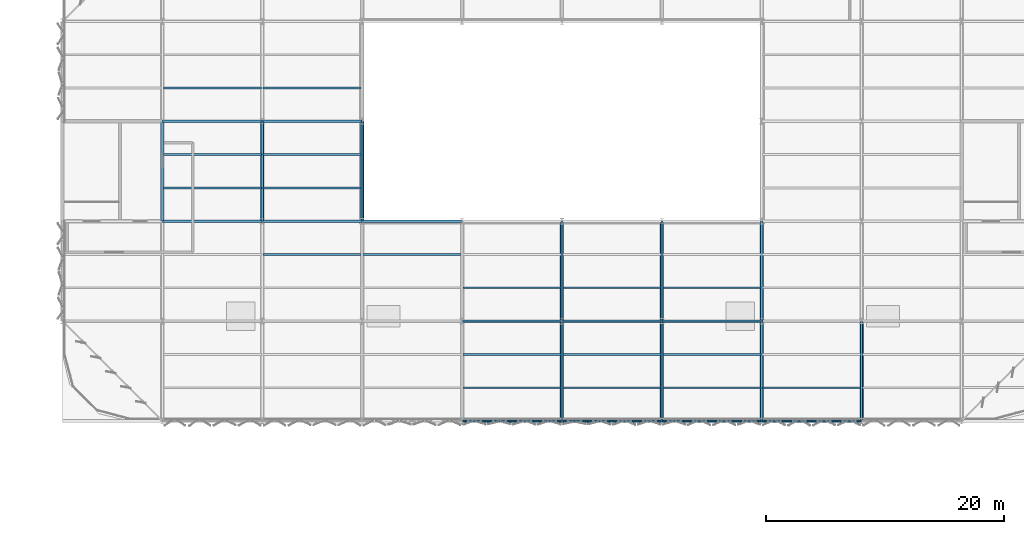
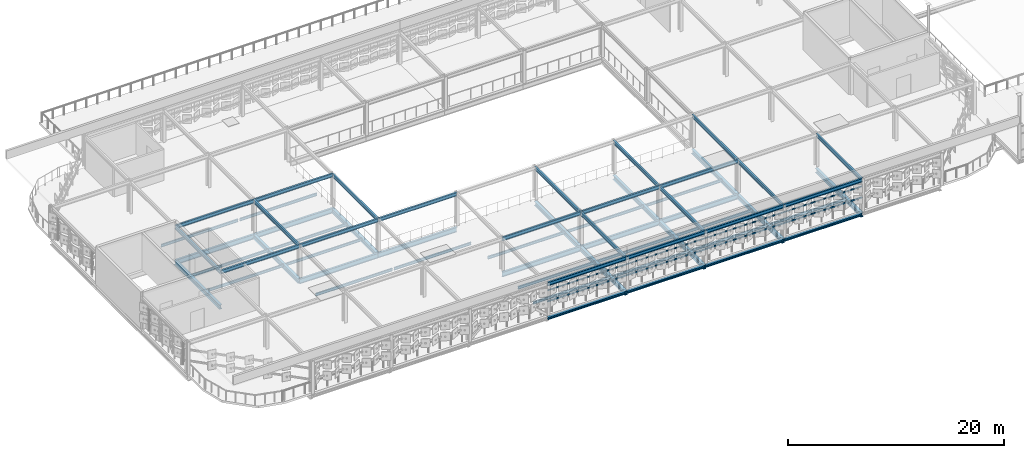
# One storey, part 31 of 65: 69 beams.
"""IFC4 building model written with IfcOpenShell, lengths in metres."""

from ifc_helpers import new_model, si_unit, direction, frame, origin, origin_2d, place, context, subcontext, project, spatial, hollow_rectangle, i_section, extrude, material, material_profile, profile_set, type_object, element, save


model = new_model("IFC4")

# Units and contexts
model_context = context("Model", 3, precision=1e-05, world=origin(), true_north=direction((0.0, 1.0)))
body_context = subcontext(model_context, "Body", "Model", "MODEL_VIEW")
ifc_project = project(units=[si_unit("LENGTHUNIT", "METRE"), si_unit("AREAUNIT", "SQUARE_METRE"), si_unit("VOLUMEUNIT", "CUBIC_METRE"), si_unit("PLANEANGLEUNIT", "RADIAN"), si_unit("MASSUNIT", "GRAM", prefix="KILO")], contexts=[model_context])

# Site, building, storey
site_placement = place(None, origin())
site = spatial("IfcSite", under=ifc_project, at=site_placement, CompositionType="ELEMENT")
building_placement = place(site_placement, origin())
building = spatial("IfcBuilding", under=site, at=building_placement, Name="Qalvenar Corner Mobility Hub", CompositionType="ELEMENT")
storey_placement = place(building_placement, frame((0.0, 0.0, 17.39990234375)))
storey = spatial("IfcBuildingStorey", under=building, at=storey_placement, Name="L04", CompositionType="ELEMENT", Elevation=17.39990234375)

# Beams
ifc_material = material(Name="Steel S355", Category="steel")
ifc_material_profile_1 = material_profile(ifc_material, i_section(OverallWidth=0.300048828125, OverallDepth=0.489990234375, WebThickness=0.011962890625, FlangeThickness=0.02294921875, FilletRadius=0.027099609375, at=origin_2d()), Name="HEA500")
ifc_profile_set_1 = profile_set([ifc_material_profile_1], Name="Steel S355")
beam_type_1 = type_object("IfcBeamType", Name="BM-HEA500", PredefinedType="BEAM", material=ifc_profile_set_1)
for number, where, z_axis, x_axis, name in (
    (1, (67.199951171875, 84.0, -0.48486328125), (0.0, 1.0, 0.0), (-1.0, 0.0, 0.0), "Primary Steel Girder GY-2776"),
    (2, (75.60009765625, 84.0, -0.48486328125), (0.0, 1.0, 0.0), (-1.0, 0.0, 0.0), "Primary Steel Girder GY-2781"),
    (3, (84.0, 84.0, -0.48486328125), (0.0, 1.0, 0.0), (-1.0, 0.0, 0.0), "Primary Steel Girder GY-2786"),
):
    element("IfcBeam", number, at=place(storey_placement, frame(where, z_axis=z_axis, x_axis=x_axis)), inside=storey, type_object=beam_type_1, Name=name, PredefinedType="BEAM", context=body_context, shape_type="SweptSolid", body=[
        extrude(i_section(OverallWidth=0.300048828125, OverallDepth=0.489990234375, WebThickness=0.011962890625, FlangeThickness=0.02294921875, FilletRadius=0.027099609375, at=origin_2d()), origin(), (0.0, 0.0, 1.0), 8.39990234375),
    ])
beam_1_placement = place(storey_placement, frame((100.800048828125, 67.199951171875, -0.48486328125), z_axis=(0.0, 1.0, 0.0), x_axis=(-1.0, 0.0, 0.0)))
element("IfcBeam", 4, at=beam_1_placement, inside=storey, type_object=beam_type_1, Name="Primary Steel Girder GY-2792", PredefinedType="BEAM", context=body_context, shape_type="SweptSolid", body=[
    extrude(i_section(OverallWidth=0.300048828125, OverallDepth=0.489990234375, WebThickness=0.011962890625, FlangeThickness=0.02294921875, FilletRadius=0.027099609375, at=origin_2d()), origin(), (0.0, 0.0, 1.0), 8.400146484375),
])
beam_2_placement = place(storey_placement, frame((100.800048828125, 75.60009765625, -0.48486328125), z_axis=(0.0, 1.0, 0.0), x_axis=(-1.0, 0.0, 0.0)))
element("IfcBeam", 5, at=beam_2_placement, inside=storey, type_object=beam_type_1, Name="Primary Steel Girder GY-2793", PredefinedType="BEAM", context=body_context, shape_type="SweptSolid", body=[
    extrude(i_section(OverallWidth=0.300048828125, OverallDepth=0.489990234375, WebThickness=0.011962890625, FlangeThickness=0.02294921875, FilletRadius=0.027099609375, at=origin_2d()), origin(), (0.0, 0.0, 1.0), 8.39990234375),
])
beam_3_placement = place(storey_placement, frame((109.199951171875, 67.199951171875, -0.48486328125), z_axis=(0.0, 1.0, 0.0), x_axis=(-1.0, 0.0, 0.0)))
element("IfcBeam", 6, at=beam_3_placement, inside=storey, type_object=beam_type_1, Name="Primary Steel Girder GY-2795", PredefinedType="BEAM", context=body_context, shape_type="SweptSolid", body=[
    extrude(i_section(OverallWidth=0.300048828125, OverallDepth=0.489990234375, WebThickness=0.011962890625, FlangeThickness=0.02294921875, FilletRadius=0.027099609375, at=origin_2d()), origin(), (0.0, 0.0, 1.0), 8.400146484375),
])
beam_4_placement = place(storey_placement, frame((109.199951171875, 75.60009765625, -0.48486328125), z_axis=(0.0, 1.0, 0.0), x_axis=(-1.0, 0.0, 0.0)))
element("IfcBeam", 7, at=beam_4_placement, inside=storey, type_object=beam_type_1, Name="Primary Steel Girder GY-2796", PredefinedType="BEAM", context=body_context, shape_type="SweptSolid", body=[
    extrude(i_section(OverallWidth=0.300048828125, OverallDepth=0.489990234375, WebThickness=0.011962890625, FlangeThickness=0.02294921875, FilletRadius=0.027099609375, at=origin_2d()), origin(), (0.0, 0.0, 1.0), 8.39990234375),
])
beam_5_placement = place(storey_placement, frame((117.60009765625, 67.199951171875, -0.48486328125), z_axis=(0.0, 1.0, 0.0), x_axis=(-1.0, 0.0, 0.0)))
element("IfcBeam", 8, at=beam_5_placement, inside=storey, type_object=beam_type_1, Name="Primary Steel Girder GY-2798", PredefinedType="BEAM", context=body_context, shape_type="SweptSolid", body=[
    extrude(i_section(OverallWidth=0.300048828125, OverallDepth=0.489990234375, WebThickness=0.011962890625, FlangeThickness=0.02294921875, FilletRadius=0.027099609375, at=origin_2d()), origin(), (0.0, 0.0, 1.0), 8.400146484375),
])
beam_6_placement = place(storey_placement, frame((117.60009765625, 75.60009765625, -0.48486328125), z_axis=(0.0, 1.0, 0.0), x_axis=(-1.0, 0.0, 0.0)))
element("IfcBeam", 9, at=beam_6_placement, inside=storey, type_object=beam_type_1, Name="Primary Steel Girder GY-2799", PredefinedType="BEAM", context=body_context, shape_type="SweptSolid", body=[
    extrude(i_section(OverallWidth=0.300048828125, OverallDepth=0.489990234375, WebThickness=0.011962890625, FlangeThickness=0.02294921875, FilletRadius=0.027099609375, at=origin_2d()), origin(), (0.0, 0.0, 1.0), 8.39990234375),
])
beam_7_placement = place(storey_placement, frame((126.0, 67.199951171875, -0.48486328125), z_axis=(0.0, 1.0, 0.0), x_axis=(-1.0, 0.0, 0.0)))
element("IfcBeam", 10, at=beam_7_placement, inside=storey, type_object=beam_type_1, Name="Primary Steel Girder GY-2803", PredefinedType="BEAM", context=body_context, shape_type="SweptSolid", body=[
    extrude(i_section(OverallWidth=0.300048828125, OverallDepth=0.489990234375, WebThickness=0.011962890625, FlangeThickness=0.02294921875, FilletRadius=0.027099609375, at=origin_2d()), origin(), (0.0, 0.0, 1.0), 8.400146484375),
])
ifc_material_profile_2 = material_profile(ifc_material, i_section(OverallWidth=0.179931640625, OverallDepth=0.39990234375, WebThickness=0.008544921875, FlangeThickness=0.013427734375, FilletRadius=0.02099609375, at=origin_2d()), Name="IPE400")
ifc_profile_set_2 = profile_set([ifc_material_profile_2], Name="Steel S355")
beam_type_2 = type_object("IfcBeamType", Name="BM-IPE400", PredefinedType="BEAM", material=ifc_profile_set_2)
for number, where, z_axis, x_axis, name in (
    (11, (67.199951171875, 84.0, 3.47021484375), (0.0, 1.0, 0.0), (-1.0, 0.0, 0.0), "EV Roof Girder V4RF-Y-67-84"),
    (12, (75.60009765625, 84.0, 3.47021484375), (0.0, 1.0, 0.0), (-1.0, 0.0, 0.0), "EV Roof Girder V4RF-Y-75-84"),
    (13, (84.0, 84.0, 3.47021484375), (0.0, 1.0, 0.0), (-1.0, 0.0, 0.0), "EV Roof Girder V4RF-Y-84-84"),
):
    element("IfcBeam", number, at=place(storey_placement, frame(where, z_axis=z_axis, x_axis=x_axis)), inside=storey, type_object=beam_type_2, Name=name, PredefinedType="BEAM", context=body_context, shape_type="SweptSolid", body=[
        extrude(i_section(OverallWidth=0.179931640625, OverallDepth=0.39990234375, WebThickness=0.008544921875, FlangeThickness=0.013427734375, FilletRadius=0.02099609375, at=origin_2d()), origin(), (0.0, 0.0, 1.0), 8.39990234375),
    ])
beam_8_placement = place(storey_placement, frame((100.800048828125, 67.199951171875, 3.47021484375), z_axis=(0.0, 1.0, 0.0), x_axis=(-1.0, 0.0, 0.0)))
element("IfcBeam", 14, at=beam_8_placement, inside=storey, type_object=beam_type_2, Name="EV Roof Girder V4RF-Y-100-67", PredefinedType="BEAM", context=body_context, shape_type="SweptSolid", body=[
    extrude(i_section(OverallWidth=0.179931640625, OverallDepth=0.39990234375, WebThickness=0.008544921875, FlangeThickness=0.013427734375, FilletRadius=0.02099609375, at=origin_2d()), origin(), (0.0, 0.0, 1.0), 8.400146484375),
])
beam_9_placement = place(storey_placement, frame((100.800048828125, 75.60009765625, 3.47021484375), z_axis=(0.0, 1.0, 0.0), x_axis=(-1.0, 0.0, 0.0)))
element("IfcBeam", 15, at=beam_9_placement, inside=storey, type_object=beam_type_2, Name="EV Roof Girder V4RF-Y-100-75", PredefinedType="BEAM", context=body_context, shape_type="SweptSolid", body=[
    extrude(i_section(OverallWidth=0.179931640625, OverallDepth=0.39990234375, WebThickness=0.008544921875, FlangeThickness=0.013427734375, FilletRadius=0.02099609375, at=origin_2d()), origin(), (0.0, 0.0, 1.0), 8.39990234375),
])
beam_10_placement = place(storey_placement, frame((109.199951171875, 67.199951171875, 3.47021484375), z_axis=(0.0, 1.0, 0.0), x_axis=(-1.0, 0.0, 0.0)))
element("IfcBeam", 16, at=beam_10_placement, inside=storey, type_object=beam_type_2, Name="EV Roof Girder V4RF-Y-109-67", PredefinedType="BEAM", context=body_context, shape_type="SweptSolid", body=[
    extrude(i_section(OverallWidth=0.179931640625, OverallDepth=0.39990234375, WebThickness=0.008544921875, FlangeThickness=0.013427734375, FilletRadius=0.02099609375, at=origin_2d()), origin(), (0.0, 0.0, 1.0), 8.400146484375),
])
beam_11_placement = place(storey_placement, frame((109.199951171875, 75.60009765625, 3.47021484375), z_axis=(0.0, 1.0, 0.0), x_axis=(-1.0, 0.0, 0.0)))
element("IfcBeam", 17, at=beam_11_placement, inside=storey, type_object=beam_type_2, Name="EV Roof Girder V4RF-Y-109-75", PredefinedType="BEAM", context=body_context, shape_type="SweptSolid", body=[
    extrude(i_section(OverallWidth=0.179931640625, OverallDepth=0.39990234375, WebThickness=0.008544921875, FlangeThickness=0.013427734375, FilletRadius=0.02099609375, at=origin_2d()), origin(), (0.0, 0.0, 1.0), 8.39990234375),
])
beam_12_placement = place(storey_placement, frame((117.60009765625, 67.199951171875, 3.47021484375), z_axis=(0.0, 1.0, 0.0), x_axis=(-1.0, 0.0, 0.0)))
element("IfcBeam", 18, at=beam_12_placement, inside=storey, type_object=beam_type_2, Name="EV Roof Girder V4RF-Y-117-67", PredefinedType="BEAM", context=body_context, shape_type="SweptSolid", body=[
    extrude(i_section(OverallWidth=0.179931640625, OverallDepth=0.39990234375, WebThickness=0.008544921875, FlangeThickness=0.013427734375, FilletRadius=0.02099609375, at=origin_2d()), origin(), (0.0, 0.0, 1.0), 8.400146484375),
])
beam_13_placement = place(storey_placement, frame((117.60009765625, 75.60009765625, 3.47021484375), z_axis=(0.0, 1.0, 0.0), x_axis=(-1.0, 0.0, 0.0)))
element("IfcBeam", 19, at=beam_13_placement, inside=storey, type_object=beam_type_2, Name="EV Roof Girder V4RF-Y-117-75", PredefinedType="BEAM", context=body_context, shape_type="SweptSolid", body=[
    extrude(i_section(OverallWidth=0.179931640625, OverallDepth=0.39990234375, WebThickness=0.008544921875, FlangeThickness=0.013427734375, FilletRadius=0.02099609375, at=origin_2d()), origin(), (0.0, 0.0, 1.0), 8.39990234375),
])
for number, where, z_axis, x_axis, name in (
    (20, (126.0, 67.199951171875, 3.47021484375), (0.0, 1.0, 0.0), (-1.0, 0.0, 0.0), "EV Roof Girder V4RF-Y-126-67"),
    (21, (92.39990234375, 67.199951171875, 3.47021484375), (1.0, 0.0, 0.0), (0.0, 1.0, 0.0), "EV Roof Girder V4RF-X-92-67"),
):
    element("IfcBeam", number, at=place(storey_placement, frame(where, z_axis=z_axis, x_axis=x_axis)), inside=storey, type_object=beam_type_2, Name=name, PredefinedType="BEAM", context=body_context, shape_type="SweptSolid", body=[
        extrude(i_section(OverallWidth=0.179931640625, OverallDepth=0.39990234375, WebThickness=0.008544921875, FlangeThickness=0.013427734375, FilletRadius=0.02099609375, at=origin_2d()), origin(), (0.0, 0.0, 1.0), 8.400146484375),
    ])
beam_14_placement = place(storey_placement, frame((100.800048828125, 67.199951171875, 3.47021484375), z_axis=(1.0, 0.0, 0.0), x_axis=(0.0, 1.0, 0.0)))
element("IfcBeam", 22, at=beam_14_placement, inside=storey, type_object=beam_type_2, Name="EV Roof Girder V4RF-X-100-67", PredefinedType="BEAM", context=body_context, shape_type="SweptSolid", body=[
    extrude(i_section(OverallWidth=0.179931640625, OverallDepth=0.39990234375, WebThickness=0.008544921875, FlangeThickness=0.013427734375, FilletRadius=0.02099609375, at=origin_2d()), origin(), (0.0, 0.0, 1.0), 8.39990234375),
])
beam_15_placement = place(storey_placement, frame((109.199951171875, 67.199951171875, 3.47021484375), z_axis=(1.0, 0.0, 0.0), x_axis=(0.0, 1.0, 0.0)))
element("IfcBeam", 23, at=beam_15_placement, inside=storey, type_object=beam_type_2, Name="EV Roof Girder V4RF-X-109-67", PredefinedType="BEAM", context=body_context, shape_type="SweptSolid", body=[
    extrude(i_section(OverallWidth=0.179931640625, OverallDepth=0.39990234375, WebThickness=0.008544921875, FlangeThickness=0.013427734375, FilletRadius=0.02099609375, at=origin_2d()), origin(), (0.0, 0.0, 1.0), 8.400146484375),
])
beam_16_placement = place(storey_placement, frame((117.60009765625, 67.199951171875, 3.47021484375), z_axis=(1.0, 0.0, 0.0), x_axis=(0.0, 1.0, 0.0)))
element("IfcBeam", 24, at=beam_16_placement, inside=storey, type_object=beam_type_2, Name="EV Roof Girder V4RF-X-117-67", PredefinedType="BEAM", context=body_context, shape_type="SweptSolid", body=[
    extrude(i_section(OverallWidth=0.179931640625, OverallDepth=0.39990234375, WebThickness=0.008544921875, FlangeThickness=0.013427734375, FilletRadius=0.02099609375, at=origin_2d()), origin(), (0.0, 0.0, 1.0), 8.39990234375),
])
beam_17_placement = place(storey_placement, frame((92.39990234375, 75.60009765625, 3.47021484375), z_axis=(1.0, 0.0, 0.0), x_axis=(0.0, 1.0, 0.0)))
element("IfcBeam", 25, at=beam_17_placement, inside=storey, type_object=beam_type_2, Name="EV Roof Girder V4RF-X-92-75", PredefinedType="BEAM", context=body_context, shape_type="SweptSolid", body=[
    extrude(i_section(OverallWidth=0.179931640625, OverallDepth=0.39990234375, WebThickness=0.008544921875, FlangeThickness=0.013427734375, FilletRadius=0.02099609375, at=origin_2d()), origin(), (0.0, 0.0, 1.0), 8.400146484375),
])
beam_18_placement = place(storey_placement, frame((100.800048828125, 75.60009765625, 3.47021484375), z_axis=(1.0, 0.0, 0.0), x_axis=(0.0, 1.0, 0.0)))
element("IfcBeam", 26, at=beam_18_placement, inside=storey, type_object=beam_type_2, Name="EV Roof Girder V4RF-X-100-75", PredefinedType="BEAM", context=body_context, shape_type="SweptSolid", body=[
    extrude(i_section(OverallWidth=0.179931640625, OverallDepth=0.39990234375, WebThickness=0.008544921875, FlangeThickness=0.013427734375, FilletRadius=0.02099609375, at=origin_2d()), origin(), (0.0, 0.0, 1.0), 8.39990234375),
])
for number, where, z_axis, x_axis, name in (
    (27, (109.199951171875, 75.60009765625, 3.47021484375), (1.0, 0.0, 0.0), (0.0, 1.0, 0.0), "EV Roof Girder V4RF-X-109-75"),
    (28, (67.199951171875, 84.0, 3.47021484375), (1.0, 0.0, 0.0), (0.0, 1.0, 0.0), "EV Roof Girder V4RF-X-67-84"),
):
    element("IfcBeam", number, at=place(storey_placement, frame(where, z_axis=z_axis, x_axis=x_axis)), inside=storey, type_object=beam_type_2, Name=name, PredefinedType="BEAM", context=body_context, shape_type="SweptSolid", body=[
        extrude(i_section(OverallWidth=0.179931640625, OverallDepth=0.39990234375, WebThickness=0.008544921875, FlangeThickness=0.013427734375, FilletRadius=0.02099609375, at=origin_2d()), origin(), (0.0, 0.0, 1.0), 8.400146484375),
    ])
for number, where, z_axis, x_axis, name in (
    (29, (75.60009765625, 84.0, 3.47021484375), (1.0, 0.0, 0.0), (0.0, 1.0, 0.0), "EV Roof Girder V4RF-X-75-84"),
    (30, (84.0, 84.0, 3.47021484375), (1.0, 0.0, 0.0), (0.0, 1.0, 0.0), "EV Roof Girder V4RF-X-84-84"),
):
    element("IfcBeam", number, at=place(storey_placement, frame(where, z_axis=z_axis, x_axis=x_axis)), inside=storey, type_object=beam_type_2, Name=name, PredefinedType="BEAM", context=body_context, shape_type="SweptSolid", body=[
        extrude(i_section(OverallWidth=0.179931640625, OverallDepth=0.39990234375, WebThickness=0.008544921875, FlangeThickness=0.013427734375, FilletRadius=0.02099609375, at=origin_2d()), origin(), (0.0, 0.0, 1.0), 8.39990234375),
    ])
beam_19_placement = place(storey_placement, frame((67.199951171875, 92.39990234375, 3.47021484375), z_axis=(1.0, 0.0, 0.0), x_axis=(0.0, 1.0, 0.0)))
element("IfcBeam", 31, at=beam_19_placement, inside=storey, type_object=beam_type_2, Name="EV Roof Girder V4RF-X-67-92", PredefinedType="BEAM", context=body_context, shape_type="SweptSolid", body=[
    extrude(i_section(OverallWidth=0.179931640625, OverallDepth=0.39990234375, WebThickness=0.008544921875, FlangeThickness=0.013427734375, FilletRadius=0.02099609375, at=origin_2d()), origin(), (0.0, 0.0, 1.0), 8.400146484375),
])
beam_20_placement = place(storey_placement, frame((75.60009765625, 92.39990234375, 3.47021484375), z_axis=(1.0, 0.0, 0.0), x_axis=(0.0, 1.0, 0.0)))
element("IfcBeam", 32, at=beam_20_placement, inside=storey, type_object=beam_type_2, Name="EV Roof Girder V4RF-X-75-92", PredefinedType="BEAM", context=body_context, shape_type="SweptSolid", body=[
    extrude(i_section(OverallWidth=0.179931640625, OverallDepth=0.39990234375, WebThickness=0.008544921875, FlangeThickness=0.013427734375, FilletRadius=0.02099609375, at=origin_2d()), origin(), (0.0, 0.0, 1.0), 8.39990234375),
])
ifc_material_profile_3 = material_profile(ifc_material, i_section(OverallWidth=0.2099609375, OverallDepth=0.550048828125, WebThickness=0.010986328125, FlangeThickness=0.01708984375, FilletRadius=0.02392578125, at=origin_2d()), Name="IPE550")
ifc_profile_set_3 = profile_set([ifc_material_profile_3], Name="Steel S355")
beam_type_3 = type_object("IfcBeamType", Name="BM-IPE550", PredefinedType="BEAM", material=ifc_profile_set_3)
beam_21_placement = place(storey_placement, frame((92.39990234375, 75.60009765625, -0.514892578125), z_axis=(1.0, 0.0, 0.0), x_axis=(0.0, 1.0, 0.0)))
element("IfcBeam", 33, at=beam_21_placement, inside=storey, type_object=beam_type_3, Name="Primary Steel Girder GX-2731", PredefinedType="BEAM", context=body_context, shape_type="SweptSolid", body=[
    extrude(i_section(OverallWidth=0.2099609375, OverallDepth=0.550048828125, WebThickness=0.010986328125, FlangeThickness=0.01708984375, FilletRadius=0.02392578125, at=origin_2d()), origin(), (0.0, 0.0, 1.0), 8.400146484375),
])
beam_22_placement = place(storey_placement, frame((100.800048828125, 75.60009765625, -0.514892578125), z_axis=(1.0, 0.0, 0.0), x_axis=(0.0, 1.0, 0.0)))
element("IfcBeam", 34, at=beam_22_placement, inside=storey, type_object=beam_type_3, Name="Primary Steel Girder GX-2732", PredefinedType="BEAM", context=body_context, shape_type="SweptSolid", body=[
    extrude(i_section(OverallWidth=0.2099609375, OverallDepth=0.550048828125, WebThickness=0.010986328125, FlangeThickness=0.01708984375, FilletRadius=0.02392578125, at=origin_2d()), origin(), (0.0, 0.0, 1.0), 8.39990234375),
])
beam_23_placement = place(storey_placement, frame((109.199951171875, 75.60009765625, -0.514892578125), z_axis=(1.0, 0.0, 0.0), x_axis=(0.0, 1.0, 0.0)))
element("IfcBeam", 35, at=beam_23_placement, inside=storey, type_object=beam_type_3, Name="Primary Steel Girder GX-2733", PredefinedType="BEAM", context=body_context, shape_type="SweptSolid", body=[
    extrude(i_section(OverallWidth=0.2099609375, OverallDepth=0.550048828125, WebThickness=0.010986328125, FlangeThickness=0.01708984375, FilletRadius=0.02392578125, at=origin_2d()), origin(), (0.0, 0.0, 1.0), 8.400146484375),
])
for number, where, z_axis, x_axis, name in (
    (36, (75.60009765625, 84.0, -0.514892578125), (1.0, 0.0, 0.0), (0.0, 1.0, 0.0), "Primary Steel Girder GX-2739"),
    (37, (84.0, 84.0, -0.514892578125), (1.0, 0.0, 0.0), (0.0, 1.0, 0.0), "Primary Steel Girder GX-2740"),
):
    element("IfcBeam", number, at=place(storey_placement, frame(where, z_axis=z_axis, x_axis=x_axis)), inside=storey, type_object=beam_type_3, Name=name, PredefinedType="BEAM", context=body_context, shape_type="SweptSolid", body=[
        extrude(i_section(OverallWidth=0.2099609375, OverallDepth=0.550048828125, WebThickness=0.010986328125, FlangeThickness=0.01708984375, FilletRadius=0.02392578125, at=origin_2d()), origin(), (0.0, 0.0, 1.0), 8.39990234375),
    ])
beam_24_placement = place(storey_placement, frame((67.199951171875, 92.39990234375, -0.514892578125), z_axis=(1.0, 0.0, 0.0), x_axis=(0.0, 1.0, 0.0)))
element("IfcBeam", 38, at=beam_24_placement, inside=storey, type_object=beam_type_3, Name="Primary Steel Girder GX-2748", PredefinedType="BEAM", context=body_context, shape_type="SweptSolid", body=[
    extrude(i_section(OverallWidth=0.2099609375, OverallDepth=0.550048828125, WebThickness=0.010986328125, FlangeThickness=0.01708984375, FilletRadius=0.02392578125, at=origin_2d()), origin(), (0.0, 0.0, 1.0), 8.400146484375),
])
beam_25_placement = place(storey_placement, frame((75.60009765625, 92.39990234375, -0.514892578125), z_axis=(1.0, 0.0, 0.0), x_axis=(0.0, 1.0, 0.0)))
element("IfcBeam", 39, at=beam_25_placement, inside=storey, type_object=beam_type_3, Name="Primary Steel Girder GX-2749", PredefinedType="BEAM", context=body_context, shape_type="SweptSolid", body=[
    extrude(i_section(OverallWidth=0.2099609375, OverallDepth=0.550048828125, WebThickness=0.010986328125, FlangeThickness=0.01708984375, FilletRadius=0.02392578125, at=origin_2d()), origin(), (0.0, 0.0, 1.0), 8.39990234375),
])
ifc_material_profile_4 = material_profile(ifc_material, i_section(OverallWidth=0.14990234375, OverallDepth=0.300048828125, WebThickness=0.007080078125, FlangeThickness=0.0107421875, FilletRadius=0.014892578125, at=origin_2d()), Name="IPE300")
ifc_profile_set_4 = profile_set([ifc_material_profile_4], Name="Steel S355")
beam_type_4 = type_object("IfcBeamType", Name="BM-JST300", PredefinedType="JOIST", material=ifc_profile_set_4)
for number, where, z_axis, x_axis, name in (
    (40, (67.278076171875, 86.800048828125, -0.389892578125), (1.0, 0.0, 0.0), (0.0, 1.0, 0.0), "Composite Floor Joist J-2824"),
    (41, (67.278076171875, 89.60009765625, -0.389892578125), (1.0, 0.0, 0.0), (0.0, 1.0, 0.0), "Composite Floor Joist J-2825"),
    (42, (67.278076171875, 95.199951171875, -0.389892578125), (1.0, 0.0, 0.0), (0.0, 1.0, 0.0), "Composite Floor Joist J-2826"),
):
    element("IfcBeam", number, at=place(storey_placement, frame(where, z_axis=z_axis, x_axis=x_axis)), inside=storey, type_object=beam_type_4, Name=name, PredefinedType="JOIST", context=body_context, shape_type="SweptSolid", body=[
        extrude(i_section(OverallWidth=0.14990234375, OverallDepth=0.300048828125, WebThickness=0.007080078125, FlangeThickness=0.0107421875, FilletRadius=0.014892578125, at=origin_2d()), origin(), (0.0, 0.0, 1.0), 8.243896484375),
    ])
for number, where, z_axis, x_axis, name in (
    (43, (75.677978515625, 81.199951171875, -0.389892578125), (1.0, 0.0, 0.0), (0.0, 1.0, 0.0), "Composite Floor Joist J-2833"),
    (44, (75.677978515625, 86.800048828125, -0.389892578125), (1.0, 0.0, 0.0), (0.0, 1.0, 0.0), "Composite Floor Joist J-2834"),
    (45, (75.677978515625, 89.60009765625, -0.389892578125), (1.0, 0.0, 0.0), (0.0, 1.0, 0.0), "Composite Floor Joist J-2835"),
    (46, (75.677978515625, 95.199951171875, -0.389892578125), (1.0, 0.0, 0.0), (0.0, 1.0, 0.0), "Composite Floor Joist J-2836"),
    (47, (84.077880859375, 81.199951171875, -0.389892578125), (1.0, 0.0, 0.0), (0.0, 1.0, 0.0), "Composite Floor Joist J-2843"),
):
    element("IfcBeam", number, at=place(storey_placement, frame(where, z_axis=z_axis, x_axis=x_axis)), inside=storey, type_object=beam_type_4, Name=name, PredefinedType="JOIST", context=body_context, shape_type="SweptSolid", body=[
        extrude(i_section(OverallWidth=0.14990234375, OverallDepth=0.300048828125, WebThickness=0.007080078125, FlangeThickness=0.0107421875, FilletRadius=0.014892578125, at=origin_2d()), origin(), (0.0, 0.0, 1.0), 8.244140625),
    ])
for number, where, z_axis, x_axis, name in (
    (48, (92.47802734375, 70.0, -0.389892578125), (1.0, 0.0, 0.0), (0.0, 1.0, 0.0), "Composite Floor Joist J-2846"),
    (49, (92.47802734375, 72.800048828125, -0.389892578125), (1.0, 0.0, 0.0), (0.0, 1.0, 0.0), "Composite Floor Joist J-2847"),
    (50, (92.47802734375, 78.39990234375, -0.389892578125), (1.0, 0.0, 0.0), (0.0, 1.0, 0.0), "Composite Floor Joist J-2848"),
):
    element("IfcBeam", number, at=place(storey_placement, frame(where, z_axis=z_axis, x_axis=x_axis)), inside=storey, type_object=beam_type_4, Name=name, PredefinedType="JOIST", context=body_context, shape_type="SweptSolid", body=[
        extrude(i_section(OverallWidth=0.14990234375, OverallDepth=0.300048828125, WebThickness=0.007080078125, FlangeThickness=0.0107421875, FilletRadius=0.014892578125, at=origin_2d()), origin(), (0.0, 0.0, 1.0), 8.243896484375),
    ])
for number, where, z_axis, x_axis, name in (
    (51, (100.8779296875, 70.0, -0.389892578125), (1.0, 0.0, 0.0), (0.0, 1.0, 0.0), "Composite Floor Joist J-2852"),
    (52, (100.8779296875, 72.800048828125, -0.389892578125), (1.0, 0.0, 0.0), (0.0, 1.0, 0.0), "Composite Floor Joist J-2853"),
    (53, (100.8779296875, 78.39990234375, -0.389892578125), (1.0, 0.0, 0.0), (0.0, 1.0, 0.0), "Composite Floor Joist J-2854"),
):
    element("IfcBeam", number, at=place(storey_placement, frame(where, z_axis=z_axis, x_axis=x_axis)), inside=storey, type_object=beam_type_4, Name=name, PredefinedType="JOIST", context=body_context, shape_type="SweptSolid", body=[
        extrude(i_section(OverallWidth=0.14990234375, OverallDepth=0.300048828125, WebThickness=0.007080078125, FlangeThickness=0.0107421875, FilletRadius=0.014892578125, at=origin_2d()), origin(), (0.0, 0.0, 1.0), 8.244140625),
    ])
for number, where, z_axis, x_axis, name in (
    (54, (109.278076171875, 70.0, -0.389892578125), (1.0, 0.0, 0.0), (0.0, 1.0, 0.0), "Composite Floor Joist J-2858"),
    (55, (109.278076171875, 72.800048828125, -0.389892578125), (1.0, 0.0, 0.0), (0.0, 1.0, 0.0), "Composite Floor Joist J-2859"),
    (56, (109.278076171875, 78.39990234375, -0.389892578125), (1.0, 0.0, 0.0), (0.0, 1.0, 0.0), "Composite Floor Joist J-2860"),
):
    element("IfcBeam", number, at=place(storey_placement, frame(where, z_axis=z_axis, x_axis=x_axis)), inside=storey, type_object=beam_type_4, Name=name, PredefinedType="JOIST", context=body_context, shape_type="SweptSolid", body=[
        extrude(i_section(OverallWidth=0.14990234375, OverallDepth=0.300048828125, WebThickness=0.007080078125, FlangeThickness=0.0107421875, FilletRadius=0.014892578125, at=origin_2d()), origin(), (0.0, 0.0, 1.0), 8.243896484375),
    ])
beam_26_placement = place(storey_placement, frame((117.677978515625, 70.0, -0.389892578125), z_axis=(1.0, 0.0, 0.0), x_axis=(0.0, 1.0, 0.0)))
element("IfcBeam", 57, at=beam_26_placement, inside=storey, type_object=beam_type_4, Name="Composite Floor Joist J-2864", PredefinedType="JOIST", context=body_context, shape_type="SweptSolid", body=[
    extrude(i_section(OverallWidth=0.14990234375, OverallDepth=0.300048828125, WebThickness=0.007080078125, FlangeThickness=0.0107421875, FilletRadius=0.014892578125, at=origin_2d()), origin(), (0.0, 0.0, 1.0), 8.244140625),
])
ifc_material_profile_5 = material_profile(ifc_material, i_section(OverallWidth=0.280029296875, OverallDepth=0.27001953125, WebThickness=0.008056640625, FlangeThickness=0.012939453125, FilletRadius=0.02392578125, at=origin_2d()), Name="HEA280")
ifc_profile_set_5 = profile_set([ifc_material_profile_5], Name="Steel S355")
beam_type_5 = type_object("IfcBeamType", Name="BM-SPN280", PredefinedType="SPANDREL", material=ifc_profile_set_5)
beam_27_placement = place(storey_placement, frame((92.39990234375, 67.199951171875, -0.375), z_axis=(1.0, 0.0, 0.0), x_axis=(0.0, 1.0, 0.0)))
element("IfcBeam", 58, at=beam_27_placement, inside=storey, type_object=beam_type_5, Name="Primary Steel Girder GX-2722", PredefinedType="SPANDREL", context=body_context, shape_type="SweptSolid", body=[
    extrude(i_section(OverallWidth=0.280029296875, OverallDepth=0.27001953125, WebThickness=0.008056640625, FlangeThickness=0.012939453125, FilletRadius=0.02392578125, at=origin_2d()), origin(), (0.0, 0.0, 1.0), 8.400146484375),
])
beam_28_placement = place(storey_placement, frame((100.800048828125, 67.199951171875, -0.375), z_axis=(1.0, 0.0, 0.0), x_axis=(0.0, 1.0, 0.0)))
element("IfcBeam", 59, at=beam_28_placement, inside=storey, type_object=beam_type_5, Name="Primary Steel Girder GX-2723", PredefinedType="SPANDREL", context=body_context, shape_type="SweptSolid", body=[
    extrude(i_section(OverallWidth=0.280029296875, OverallDepth=0.27001953125, WebThickness=0.008056640625, FlangeThickness=0.012939453125, FilletRadius=0.02392578125, at=origin_2d()), origin(), (0.0, 0.0, 1.0), 8.39990234375),
])
beam_29_placement = place(storey_placement, frame((109.199951171875, 67.199951171875, -0.375), z_axis=(1.0, 0.0, 0.0), x_axis=(0.0, 1.0, 0.0)))
element("IfcBeam", 60, at=beam_29_placement, inside=storey, type_object=beam_type_5, Name="Primary Steel Girder GX-2724", PredefinedType="SPANDREL", context=body_context, shape_type="SweptSolid", body=[
    extrude(i_section(OverallWidth=0.280029296875, OverallDepth=0.27001953125, WebThickness=0.008056640625, FlangeThickness=0.012939453125, FilletRadius=0.02392578125, at=origin_2d()), origin(), (0.0, 0.0, 1.0), 8.400146484375),
])
beam_30_placement = place(storey_placement, frame((117.60009765625, 67.199951171875, -0.375), z_axis=(1.0, 0.0, 0.0), x_axis=(0.0, 1.0, 0.0)))
element("IfcBeam", 61, at=beam_30_placement, inside=storey, type_object=beam_type_5, Name="Primary Steel Girder GX-2725", PredefinedType="SPANDREL", context=body_context, shape_type="SweptSolid", body=[
    extrude(i_section(OverallWidth=0.280029296875, OverallDepth=0.27001953125, WebThickness=0.008056640625, FlangeThickness=0.012939453125, FilletRadius=0.02392578125, at=origin_2d()), origin(), (0.0, 0.0, 1.0), 8.39990234375),
])
ifc_material_profile_6 = material_profile(ifc_material, hollow_rectangle(XDim=0.080078125, YDim=0.139892578125, WallThickness=0.0048828125, InnerFilletRadius=0.0048828125, OuterFilletRadius=0.010009765625, at=origin_2d()), Name="RHS140x80x5")
ifc_profile_set_6 = profile_set([ifc_material_profile_6], Name="Steel S355")
beam_type_6 = type_object("IfcBeamType", Name="FR-RAIL140", PredefinedType="SPANDREL", material=ifc_profile_set_6)
beam_31_placement = place(storey_placement, frame((92.39990234375, 67.199951171875, 2.75), z_axis=(1.0, 0.0, 0.0), x_axis=(0.0, 1.0, 0.0)))
element("IfcBeam", 62, at=beam_31_placement, inside=storey, type_object=beam_type_6, Name="Facade Hinge Support Rail FR-L04-0152", PredefinedType="SPANDREL", context=body_context, shape_type="SweptSolid", body=[
    extrude(hollow_rectangle(XDim=0.080078125, YDim=0.139892578125, WallThickness=0.0048828125, InnerFilletRadius=0.0048828125, OuterFilletRadius=0.010009765625, at=origin_2d()), origin(), (0.0, 0.0, 1.0), 8.400146484375),
])
beam_32_placement = place(storey_placement, frame((100.800048828125, 67.199951171875, 2.75), z_axis=(1.0, 0.0, 0.0), x_axis=(0.0, 1.0, 0.0)))
element("IfcBeam", 63, at=beam_32_placement, inside=storey, type_object=beam_type_6, Name="Facade Hinge Support Rail FR-L04-0154", PredefinedType="SPANDREL", context=body_context, shape_type="SweptSolid", body=[
    extrude(hollow_rectangle(XDim=0.080078125, YDim=0.139892578125, WallThickness=0.0048828125, InnerFilletRadius=0.0048828125, OuterFilletRadius=0.010009765625, at=origin_2d()), origin(), (0.0, 0.0, 1.0), 8.39990234375),
])
beam_33_placement = place(storey_placement, frame((109.199951171875, 67.199951171875, 2.75), z_axis=(1.0, 0.0, 0.0), x_axis=(0.0, 1.0, 0.0)))
element("IfcBeam", 64, at=beam_33_placement, inside=storey, type_object=beam_type_6, Name="Facade Hinge Support Rail FR-L04-0156", PredefinedType="SPANDREL", context=body_context, shape_type="SweptSolid", body=[
    extrude(hollow_rectangle(XDim=0.080078125, YDim=0.139892578125, WallThickness=0.0048828125, InnerFilletRadius=0.0048828125, OuterFilletRadius=0.010009765625, at=origin_2d()), origin(), (0.0, 0.0, 1.0), 8.400146484375),
])
beam_34_placement = place(storey_placement, frame((117.60009765625, 67.199951171875, 2.75), z_axis=(1.0, 0.0, 0.0), x_axis=(0.0, 1.0, 0.0)))
element("IfcBeam", 65, at=beam_34_placement, inside=storey, type_object=beam_type_6, Name="Facade Hinge Support Rail FR-L04-0158", PredefinedType="SPANDREL", context=body_context, shape_type="SweptSolid", body=[
    extrude(hollow_rectangle(XDim=0.080078125, YDim=0.139892578125, WallThickness=0.0048828125, InnerFilletRadius=0.0048828125, OuterFilletRadius=0.010009765625, at=origin_2d()), origin(), (0.0, 0.0, 1.0), 8.39990234375),
])
ifc_material_profile_7 = material_profile(ifc_material, hollow_rectangle(XDim=0.090087890625, YDim=0.159912109375, WallThickness=0.00634765625, InnerFilletRadius=0.00634765625, OuterFilletRadius=0.0126953125, at=origin_2d()), Name="RHS160x90x6.3")
ifc_profile_set_7 = profile_set([ifc_material_profile_7], Name="Steel S355")
beam_type_7 = type_object("IfcBeamType", Name="FR-RAIL160", PredefinedType="SPANDREL", material=ifc_profile_set_7)
beam_35_placement = place(storey_placement, frame((92.39990234375, 67.199951171875, 1.5), z_axis=(1.0, 0.0, 0.0), x_axis=(0.0, 1.0, 0.0)))
element("IfcBeam", 66, at=beam_35_placement, inside=storey, type_object=beam_type_7, Name="Facade Hinge Support Rail FR-L04-0151", PredefinedType="SPANDREL", context=body_context, shape_type="SweptSolid", body=[
    extrude(hollow_rectangle(XDim=0.090087890625, YDim=0.159912109375, WallThickness=0.00634765625, InnerFilletRadius=0.00634765625, OuterFilletRadius=0.0126953125, at=origin_2d()), origin(), (0.0, 0.0, 1.0), 8.400146484375),
])
beam_36_placement = place(storey_placement, frame((100.800048828125, 67.199951171875, 1.5), z_axis=(1.0, 0.0, 0.0), x_axis=(0.0, 1.0, 0.0)))
element("IfcBeam", 67, at=beam_36_placement, inside=storey, type_object=beam_type_7, Name="Facade Hinge Support Rail FR-L04-0153", PredefinedType="SPANDREL", context=body_context, shape_type="SweptSolid", body=[
    extrude(hollow_rectangle(XDim=0.090087890625, YDim=0.159912109375, WallThickness=0.00634765625, InnerFilletRadius=0.00634765625, OuterFilletRadius=0.0126953125, at=origin_2d()), origin(), (0.0, 0.0, 1.0), 8.39990234375),
])
beam_37_placement = place(storey_placement, frame((109.199951171875, 67.199951171875, 1.5), z_axis=(1.0, 0.0, 0.0), x_axis=(0.0, 1.0, 0.0)))
element("IfcBeam", 68, at=beam_37_placement, inside=storey, type_object=beam_type_7, Name="Facade Hinge Support Rail FR-L04-0155", PredefinedType="SPANDREL", context=body_context, shape_type="SweptSolid", body=[
    extrude(hollow_rectangle(XDim=0.090087890625, YDim=0.159912109375, WallThickness=0.00634765625, InnerFilletRadius=0.00634765625, OuterFilletRadius=0.0126953125, at=origin_2d()), origin(), (0.0, 0.0, 1.0), 8.400146484375),
])
beam_38_placement = place(storey_placement, frame((117.60009765625, 67.199951171875, 1.5), z_axis=(1.0, 0.0, 0.0), x_axis=(0.0, 1.0, 0.0)))
element("IfcBeam", 69, at=beam_38_placement, inside=storey, type_object=beam_type_7, Name="Facade Hinge Support Rail FR-L04-0157", PredefinedType="SPANDREL", context=body_context, shape_type="SweptSolid", body=[
    extrude(hollow_rectangle(XDim=0.090087890625, YDim=0.159912109375, WallThickness=0.00634765625, InnerFilletRadius=0.00634765625, OuterFilletRadius=0.0126953125, at=origin_2d()), origin(), (0.0, 0.0, 1.0), 8.39990234375),
])

save(model, "model.ifc")
